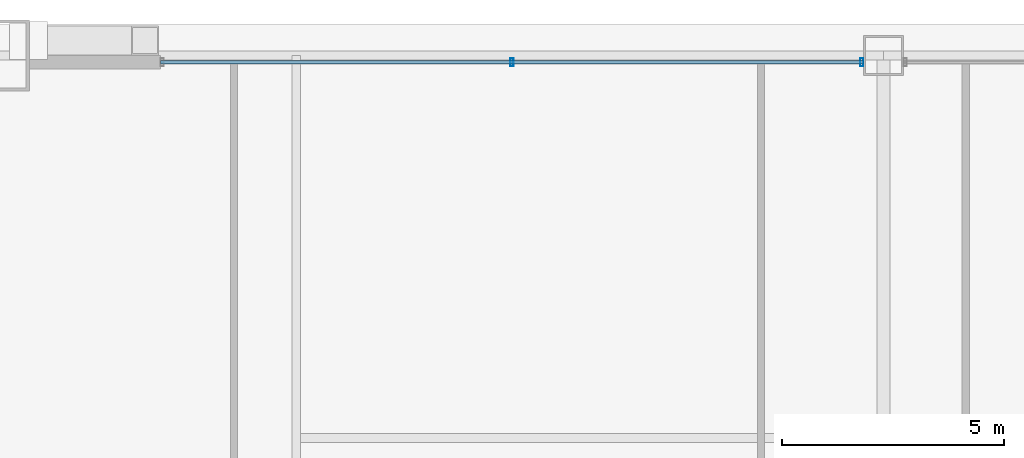
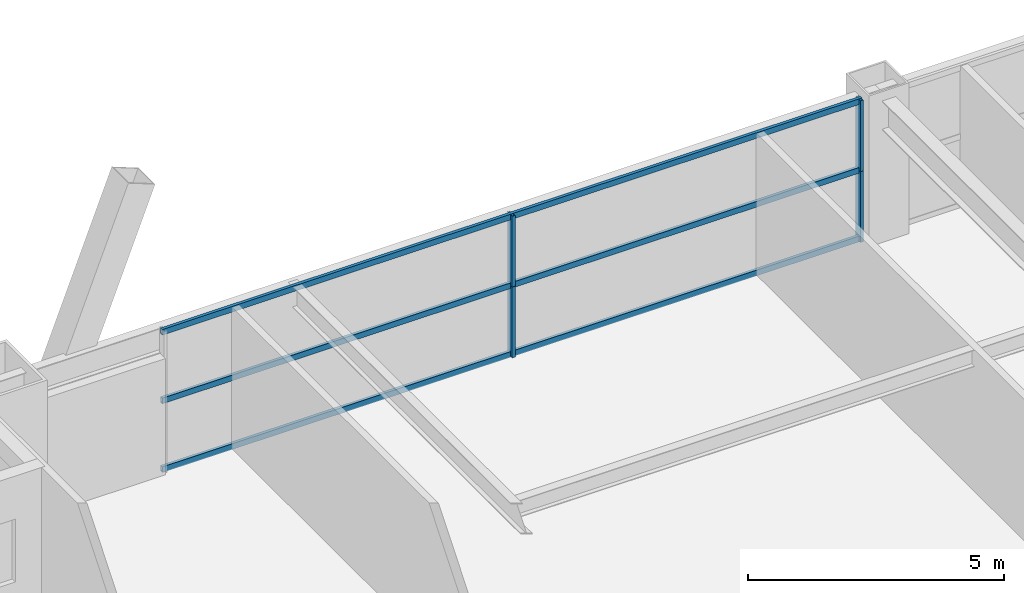
# One storey, part 27 of 41: 7 members, 1 element without a shape of its own.
"""IFC4 building model written with IfcOpenShell, lengths in metres."""

from ifc_helpers import new_model, si_unit, direction, frame, origin, origin_2d, place, context, subcontext, project, spatial, hollow_rectangle, extrude, source, transform, mapped, material, layer, layer_set, material_profile, profile_set, type_object, element, aggregate, save


model = new_model("IFC4")

# Units and contexts
model_context = context("Model", 3, precision=1e-05, world=origin(), true_north=direction((0.0, 1.0)))
body_context = subcontext(model_context, "Body", "Model", "MODEL_VIEW")
ifc_project = project(units=[si_unit("LENGTHUNIT", "METRE"), si_unit("AREAUNIT", "SQUARE_METRE"), si_unit("VOLUMEUNIT", "CUBIC_METRE"), si_unit("PLANEANGLEUNIT", "RADIAN"), si_unit("MASSUNIT", "GRAM", prefix="KILO"), si_unit("THERMODYNAMICTEMPERATUREUNIT", "KELVIN"), si_unit("POWERUNIT", "WATT")], contexts=[model_context])

# Site, building, storey
site_placement = place(None, origin())
site = spatial("IfcSite", under=ifc_project, at=site_placement, CompositionType="ELEMENT")
building_placement = place(site_placement, origin())
building = spatial("IfcBuilding", under=site, at=building_placement, Name="Yuzanri Waterfront Tower", CompositionType="ELEMENT")
storey_placement = place(building_placement, frame((0.0, 0.0, 122.60009765625)))
storey = spatial("IfcBuildingStorey", under=building, at=storey_placement, Name="L32", CompositionType="ELEMENT", Elevation=122.60009765625)

# Curtain wall, members
ifc_material_1 = material(Name="Anodized Architectural Bronze", Category="metal")
ifc_layer = layer(ifc_material_1, 0.159912109375)
ifc_layer_set = layer_set([ifc_layer], Name="Anodized Architectural Bronze")
curtain_wall_type = type_object("IfcCurtainWallType", Name="Anodized Bronze Hotel Upper-Tier Solar-Control Unitized Curtain Wall 7800", PredefinedType="NOTDEFINED", material=ifc_layer_set)
curtain_wall_placement = place(storey_placement, origin())
curtain_wall = element("IfcCurtainWall", 1, at=curtain_wall_placement, inside=storey, type_object=curtain_wall_type, Name="L32 Curtain Wall CW-L32-NL", PredefinedType="NOTDEFINED")
ifc_material_2 = material(Name="Anodized Architectural Bronze", Category="metal")
ifc_material_profile_1 = material_profile(ifc_material_2, hollow_rectangle(XDim=0.070068359375, YDim=0.179931640625, WallThickness=0.00390625, at=origin_2d()), Name="CWM 70x180")
ifc_profile_set_1 = profile_set([ifc_material_profile_1], Name="Anodized Architectural Bronze")
member_type_1 = type_object("IfcMemberType", Name="Anodized Bronze Standard Curtain-Wall Mullion 70x180", PredefinedType="MULLION", material=ifc_profile_set_1)
shared_shape_1 = source(origin(), body_context, "Body", "SweptSolid", [
    extrude(hollow_rectangle(XDim=0.070068359375, YDim=0.179931640625, WallThickness=0.00390625, at=origin_2d()), origin(), (0.0, 0.0, 1.0), 1.68798828125),
])
member_1_placement = place(storey_placement, frame((28.64990234375, 49.25, 0.0), z_axis=(0.0, 0.0, 1.0), x_axis=(1.0, 0.0, 0.0)))
member_1 = element("IfcMember", 2, at=member_1_placement, type_object=member_type_1, Name="CW-L32-NL Lower Mullion 01", PredefinedType="MULLION", context=body_context, shape_type="MappedRepresentation", body=[
    mapped(shared_shape_1, transform((0.0, 0.0, 0.0), scale=1.0)),
])
member_2_placement = place(storey_placement, frame((28.64990234375, 49.25, 1.69189453125), z_axis=(0.0, 0.0, 1.0), x_axis=(1.0, 0.0, 0.0)))
member_2 = element("IfcMember", 3, at=member_2_placement, type_object=member_type_1, Name="CW-L32-NL Upper Mullion 01", PredefinedType="MULLION", context=body_context, shape_type="MappedRepresentation", body=[
    mapped(shared_shape_1, transform((0.0, 0.0, 0.0), scale=1.0)),
])
member_3_placement = place(storey_placement, frame((36.510009765625, 49.25, 0.0), z_axis=(0.0, 0.0, 1.0), x_axis=(1.0, 0.0, 0.0)))
member_3 = element("IfcMember", 4, at=member_3_placement, type_object=member_type_1, Name="CW-L32-NL Lower Mullion 02", PredefinedType="MULLION", context=body_context, shape_type="MappedRepresentation", body=[
    mapped(shared_shape_1, transform((0.0, 0.0, 0.0), scale=1.0)),
])
member_4_placement = place(storey_placement, frame((36.510009765625, 49.25, 1.69189453125), z_axis=(0.0, 0.0, 1.0), x_axis=(1.0, 0.0, 0.0)))
member_4 = element("IfcMember", 5, at=member_4_placement, type_object=member_type_1, Name="CW-L32-NL Upper Mullion 02", PredefinedType="MULLION", context=body_context, shape_type="MappedRepresentation", body=[
    mapped(shared_shape_1, transform((0.0, 0.0, 0.0), scale=1.0)),
])
ifc_material_3 = material(Name="Anodized Architectural Bronze", Category="metal")
ifc_material_profile_2 = material_profile(ifc_material_3, hollow_rectangle(XDim=0.070068359375, YDim=0.135009765625, WallThickness=0.00341796875, at=origin_2d()), Name="CWT 70x135")
ifc_profile_set_2 = profile_set([ifc_material_profile_2], Name="Anodized Architectural Bronze")
member_type_2 = type_object("IfcMemberType", Name="Anodized Bronze Standard Curtain-Wall Transom 70x135", PredefinedType="USERDEFINED", material=ifc_profile_set_2)
shared_shape_2 = source(origin(), body_context, "Body", "SweptSolid", [
    extrude(hollow_rectangle(XDim=0.070068359375, YDim=0.135009765625, WallThickness=0.00341796875, at=origin_2d()), origin(), (0.0, 0.0, 1.0), 15.800048828125),
])
member_5_placement = place(storey_placement, frame((20.75, 49.25, 0.0498046875), z_axis=(1.0, 0.0, 0.0), x_axis=(0.0, 1.0, 0.0)))
member_5 = element("IfcMember", 6, at=member_5_placement, type_object=member_type_2, Name="CW-L32-NL Transom 1", ObjectType="TRANSOM", PredefinedType="USERDEFINED", context=body_context, shape_type="MappedRepresentation", body=[
    mapped(shared_shape_2, transform((0.0, 0.0, 0.0), scale=1.0)),
])
member_6_placement = place(storey_placement, frame((20.75, 49.25, 1.68994140625), z_axis=(1.0, 0.0, 0.0), x_axis=(0.0, 1.0, 0.0)))
member_6 = element("IfcMember", 7, at=member_6_placement, type_object=member_type_2, Name="CW-L32-NL Transom 2", ObjectType="TRANSOM", PredefinedType="USERDEFINED", context=body_context, shape_type="MappedRepresentation", body=[
    mapped(shared_shape_2, transform((0.0, 0.0, 0.0), scale=1.0)),
])
member_7_placement = place(storey_placement, frame((20.75, 49.25, 3.329833984375), z_axis=(1.0, 0.0, 0.0), x_axis=(0.0, 1.0, 0.0)))
member_7 = element("IfcMember", 8, at=member_7_placement, type_object=member_type_2, Name="CW-L32-NL Transom 3", ObjectType="TRANSOM", PredefinedType="USERDEFINED", context=body_context, shape_type="MappedRepresentation", body=[
    mapped(shared_shape_2, transform((0.0, 0.0, 0.0), scale=1.0)),
])
aggregate(curtain_wall, [member_1, member_2, member_3, member_4, member_5, member_6, member_7])

save(model, "model.ifc")
